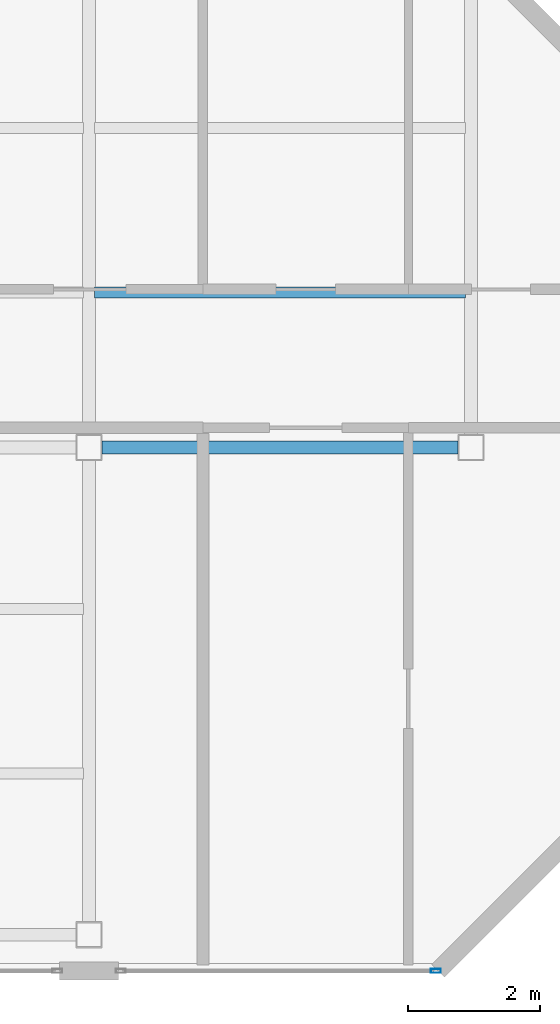
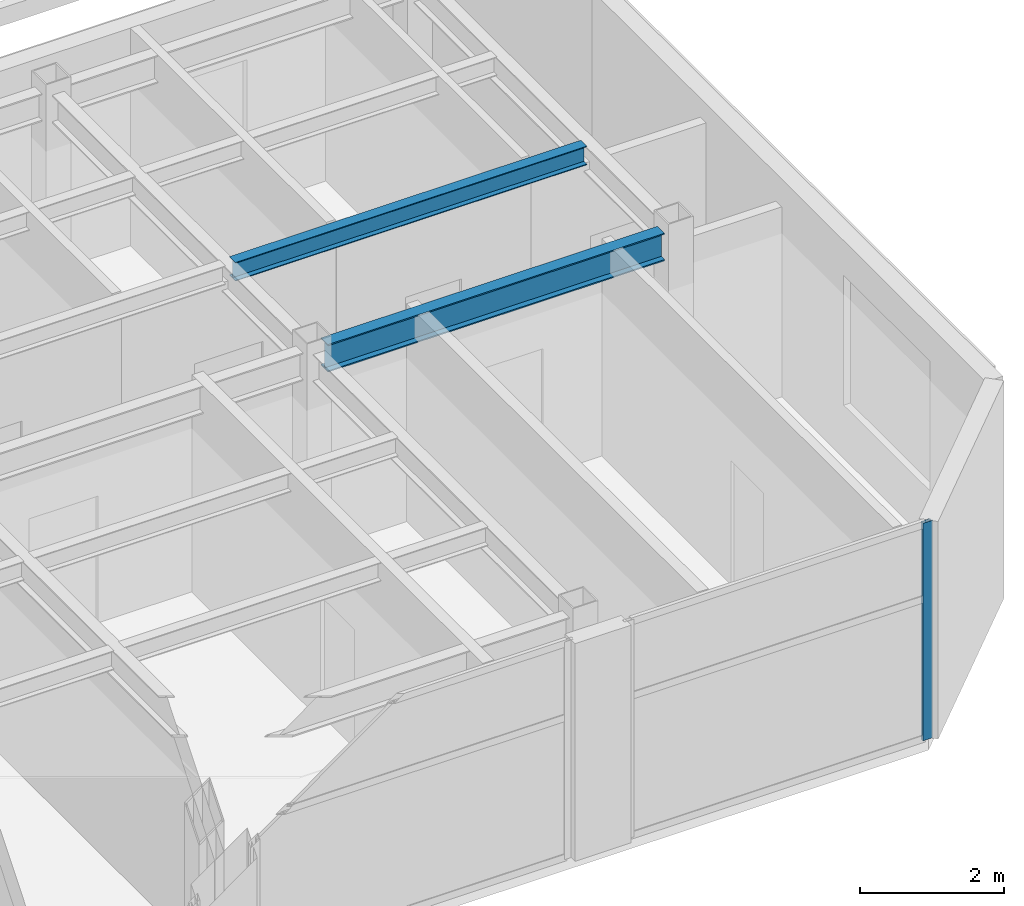
# One storey, part 7 of 15: 2 beams, 1 member, 1 element without a shape of its own.
"""IFC4 building model written with IfcOpenShell, lengths in metres."""

from ifc_helpers import new_model, si_unit, direction, frame, origin, origin_2d, place, context, subcontext, project, spatial, hollow_rectangle, i_section, extrude, material, layer, layer_set, material_profile, profile_set, type_object, element, aggregate, save


model = new_model("IFC4")

# Units and contexts
model_context = context("Model", 3, precision=1e-05, world=origin(), true_north=direction((0.0, 1.0)))
body_context = subcontext(model_context, "Body", "Model", "MODEL_VIEW")
ifc_project = project(units=[si_unit("LENGTHUNIT", "METRE"), si_unit("AREAUNIT", "SQUARE_METRE"), si_unit("VOLUMEUNIT", "CUBIC_METRE"), si_unit("PLANEANGLEUNIT", "RADIAN"), si_unit("MASSUNIT", "GRAM", prefix="KILO")], contexts=[model_context])

# Site, building, storey
site_placement = place(None, origin())
site = spatial("IfcSite", under=ifc_project, at=site_placement, CompositionType="ELEMENT")
building_placement = place(site_placement, origin())
building = spatial("IfcBuilding", under=site, at=building_placement, Name="Mawjaban Terraces University", CompositionType="ELEMENT")
storey_placement = place(building_placement, frame((0.0, 0.0, 279.39990234375)))
storey = spatial("IfcBuildingStorey", under=building, at=storey_placement, Name="L68", CompositionType="ELEMENT", Elevation=279.39990234375)

# Beams
ifc_material_1 = material(Name="Steel ASTM A572 Grade 50", Category="steel")
ifc_material_profile_1 = material_profile(ifc_material_1, i_section(OverallWidth=0.194091796875, OverallDepth=0.468994140625, WebThickness=0.011474609375, FlangeThickness=0.0205078125, at=origin_2d()), Name="W460X106")
ifc_profile_set_1 = profile_set([ifc_material_profile_1], Name="Steel ASTM A572 Grade 50")
beam_type_1 = type_object("IfcBeamType", Name="Beam_B_W460X106", PredefinedType="BEAM", material=ifc_profile_set_1)
beam_1_placement = place(storey_placement, frame((52.199951171875, 7.949951171875, 3.455078125), z_axis=(1.0, 0.0, 0.0), x_axis=(0.0, 1.0, 0.0)))
element("IfcBeam", 1, at=beam_1_placement, inside=storey, type_object=beam_type_1, Name="L68 Beam BM-L68-EW-05", PredefinedType="BEAM", context=body_context, shape_type="SweptSolid", body=[
    extrude(i_section(OverallWidth=0.194091796875, OverallDepth=0.468994140625, WebThickness=0.011474609375, FlangeThickness=0.0205078125, at=origin_2d()), origin(), (0.0, 0.0, 1.0), 5.400146484375),
])
ifc_material_profile_2 = material_profile(ifc_material_1, i_section(OverallWidth=0.1669921875, OverallDepth=0.318115234375, WebThickness=0.007568359375, FlangeThickness=0.01318359375, at=origin_2d()), Name="W310X52")
ifc_profile_set_2 = profile_set([ifc_material_profile_2], Name="Steel ASTM A572 Grade 50")
beam_type_2 = type_object("IfcBeamType", Name="Beam_J_W310X52", PredefinedType="JOIST", material=ifc_profile_set_2)
beam_2_placement = place(storey_placement, frame((52.080078125, 10.300048828125, 3.531005859375), z_axis=(1.0, 0.0, 0.0), x_axis=(0.0, 1.0, 0.0)))
element("IfcBeam", 2, at=beam_2_placement, inside=storey, type_object=beam_type_2, Name="L68 Composite Joist JST-L68-07", PredefinedType="JOIST", context=body_context, shape_type="SweptSolid", body=[
    extrude(i_section(OverallWidth=0.1669921875, OverallDepth=0.318115234375, WebThickness=0.007568359375, FlangeThickness=0.01318359375, at=origin_2d()), origin(), (0.0, 0.0, 1.0), 5.639892578125),
])

# Curtain wall, member
ifc_material_2 = material(Name="Anodised aluminium 6063-T6 and solar-control low-E glass", Category="aluminium")
ifc_layer = layer(ifc_material_2, 0.159912109375)
ifc_layer_set = layer_set([ifc_layer], Name="Anodised aluminium 6063-T6 and solar-control low-E glass")
curtain_wall_type = type_object("IfcCurtainWallType", Name="CWSystem_03_NorthWing", PredefinedType="NOTDEFINED", material=ifc_layer_set)
curtain_wall_placement = place(storey_placement, origin())
curtain_wall = element("IfcCurtainWall", 3, at=curtain_wall_placement, inside=storey, type_object=curtain_wall_type, Name="L68 Curtain Wall CW-03 Run 1.5", PredefinedType="NOTDEFINED")
ifc_material_3 = material(Name="Anodised aluminium 6063-T6", Category="aluminium")
ifc_material_profile_3 = material_profile(ifc_material_3, hollow_rectangle(XDim=0.06005859375, YDim=0.14990234375, WallThickness=0.00390625, at=origin_2d()), Name="ALU150X60X4")
ifc_profile_set_3 = profile_set([ifc_material_profile_3], Name="Anodised aluminium 6063-T6")
member_type = type_object("IfcMemberType", Name="Mullion_CW-03", PredefinedType="MULLION", material=ifc_profile_set_3)
member_placement = place(storey_placement, frame((57.267578125, 0.0, 0.0), z_axis=(0.0, 0.0, 1.0), x_axis=(0.0, 1.0, 0.0)))
member = element("IfcMember", 4, at=member_placement, type_object=member_type, Name="CW-03 mullion 2", PredefinedType="MULLION", context=body_context, shape_type="SweptSolid", body=[
    extrude(hollow_rectangle(XDim=0.06005859375, YDim=0.14990234375, WallThickness=0.00390625, at=origin_2d()), origin(), (0.0, 0.0, 1.0), 3.690185546875),
])
aggregate(curtain_wall, [member])

save(model, "model.ifc")
